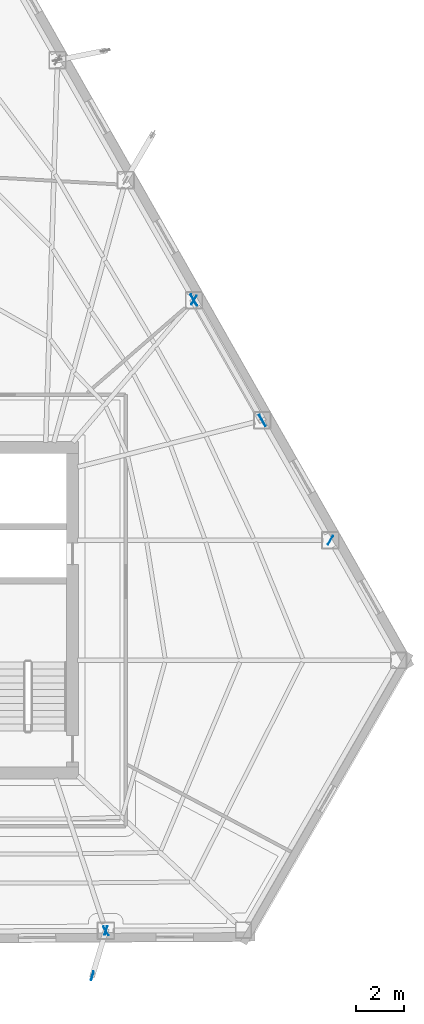
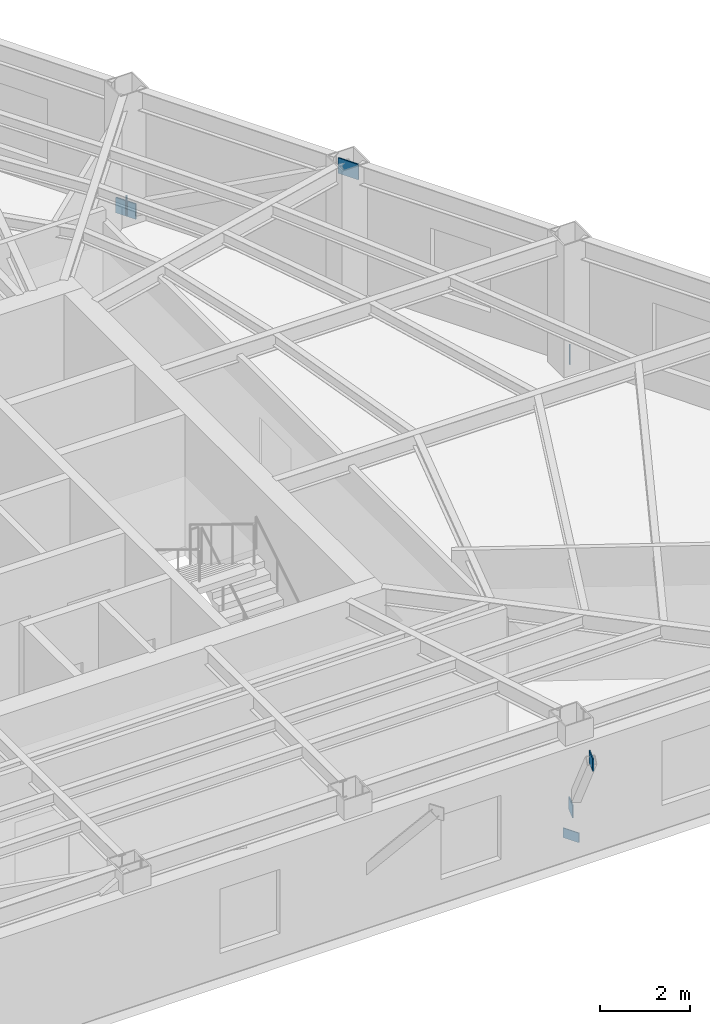
# One storey, part 6 of 13: 7 plates.
"""IFC4 building model written with IfcOpenShell, lengths in metres."""

from ifc_helpers import new_model, si_unit, direction, frame, origin, origin_2d, place, context, subcontext, project, spatial, rectangle, extrude, material, layer, layer_set, type_object, element, save


model = new_model("IFC4")

# Units and contexts
model_context = context("Model", 3, precision=1e-05, world=origin(), true_north=direction((0.0, 1.0)))
body_context = subcontext(model_context, "Body", "Model", "MODEL_VIEW")
ifc_project = project(units=[si_unit("LENGTHUNIT", "METRE"), si_unit("AREAUNIT", "SQUARE_METRE"), si_unit("VOLUMEUNIT", "CUBIC_METRE"), si_unit("PLANEANGLEUNIT", "RADIAN"), si_unit("MASSUNIT", "GRAM", prefix="KILO")], contexts=[model_context])

# Site, building, storey
site_placement = place(None, origin())
site = spatial("IfcSite", under=ifc_project, at=site_placement, CompositionType="ELEMENT")
building_placement = place(site_placement, origin())
building = spatial("IfcBuilding", under=site, at=building_placement, Name="Kavelnor Concourse Tower", CompositionType="ELEMENT")
storey_placement = place(building_placement, frame((0.0, 0.0, 85.5)))
storey = spatial("IfcBuildingStorey", under=building, at=storey_placement, Name="L21", CompositionType="ELEMENT", Elevation=85.5)

# Plates
ifc_material = material(Name="Steel Grade 350", Category="steel")
ifc_layer_1 = layer(ifc_material, 0.028076171875, Name="Steel Grade 350")
ifc_layer_set_1 = layer_set([ifc_layer_1], Name="Steel Grade 350")
plate_type_1 = type_object("IfcPlateType", Name="PL-GUSSET-FOLD", PredefinedType="USERDEFINED", material=ifc_layer_set_1)
for number, where, z_axis, x_axis, name in (
    (1, (49.15673828125, 2.8173828125, 0.8798828125), (0.0, 0.0, 1.0), (-0.286858965796, -0.957972825159, 0.0), "L21 Balcony Strut Gusset GP4 1-B End Gusset A"),
    (2, (48.594970703125, 0.94189453125, 3.48486328125), (0.0, 0.0, 1.0), (-0.286858965796, -0.957972825159, 0.0), "L21 Balcony Strut Gusset GP4 1-B End Gusset B"),
):
    element("IfcPlate", number, at=place(storey_placement, frame(where, z_axis=z_axis, x_axis=x_axis)), inside=storey, type_object=plate_type_1, Name=name, ObjectType="GUSSET_PLATE", PredefinedType="USERDEFINED", context=body_context, shape_type="SweptSolid", body=[
        extrude(rectangle(XDim=0.360107421875, YDim=0.028076171875, at=origin_2d()), origin(), (0.0, 0.0, 1.0), 0.340087890625),
    ])
ifc_layer_2 = layer(ifc_material, 0.031982421875, Name="Steel Grade 350")
ifc_layer_set_2 = layer_set([ifc_layer_2], Name="Steel Grade 350")
plate_type_2 = type_object("IfcPlateType", Name="PL-GUSSET-TUBE-Z1", PredefinedType="USERDEFINED", material=ifc_layer_set_2)
for number, where, z_axis, x_axis, name in (
    (3, (52.80126953125, 28.97705078125, 0.010009765625), (0.0, 0.0, 1.0), (0.494093614554, -0.869408707144, 0.0), "L21 Tube Brace Gusset GP3 F2-B2 End Gusset A"),
    (4, (55.643310546875, 23.9765625, 3.12353515625), (0.0, 0.0, 1.0), (0.494093614554, -0.869408707144, 0.0), "L21 Tube Brace Gusset GP3 F2-B2 End Gusset B"),
):
    element("IfcPlate", number, at=place(storey_placement, frame(where, z_axis=z_axis, x_axis=x_axis)), inside=storey, type_object=plate_type_2, Name=name, ObjectType="GUSSET_PLATE", PredefinedType="USERDEFINED", context=body_context, shape_type="SweptSolid", body=[
        extrude(rectangle(XDim=0.52001953125, YDim=0.031982421875, at=origin_2d()), origin(), (0.0, 0.0, 1.0), 0.419921875),
    ])
ifc_layer_3 = layer(ifc_material, 0.02490234375, Name="Steel Grade 350")
ifc_layer_set_3 = layer_set([ifc_layer_3], Name="Steel Grade 350")
plate_type_3 = type_object("IfcPlateType", Name="PL-SPLICE-FLANGE", PredefinedType="SHEET", material=ifc_layer_set_3)
for number, where, z_axis, x_axis, name in (
    (5, (49.1533203125, 2.805908203125, 0.169921875), (0.0, 0.0, 1.0), (-0.5, 0.866025403784, 0.0), "L21 Column Flange Splice Plate F1-B5"),
    (6, (58.467529296875, 19.007080078125, 0.169921875), (0.0, 0.0, 1.0), (-0.5, -0.866025403784, 0.0), "L21 Column Flange Splice Plate F2-B1"),
    (7, (52.80712890625, 28.966796875, 0.169921875), (0.0, 0.0, 1.0), (-0.5, -0.866025403784, 0.0), "L21 Column Flange Splice Plate F2-B3"),
):
    element("IfcPlate", number, at=place(storey_placement, frame(where, z_axis=z_axis, x_axis=x_axis)), inside=storey, type_object=plate_type_3, Name=name, PredefinedType="SHEET", context=body_context, shape_type="SweptSolid", body=[
        extrude(rectangle(XDim=0.419921875, YDim=0.02490234375, at=origin_2d()), origin(), (0.0, 0.0, 1.0), 0.260009765625),
    ])

save(model, "model.ifc")
